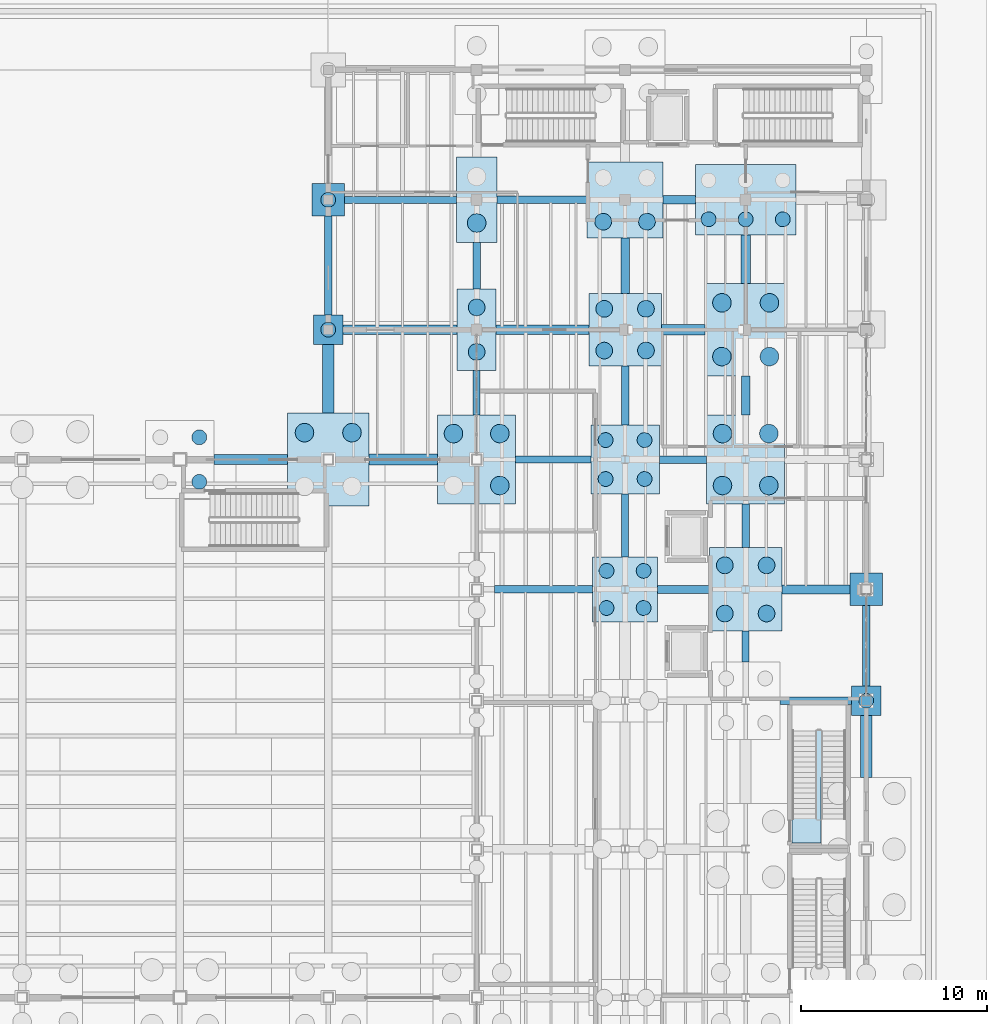
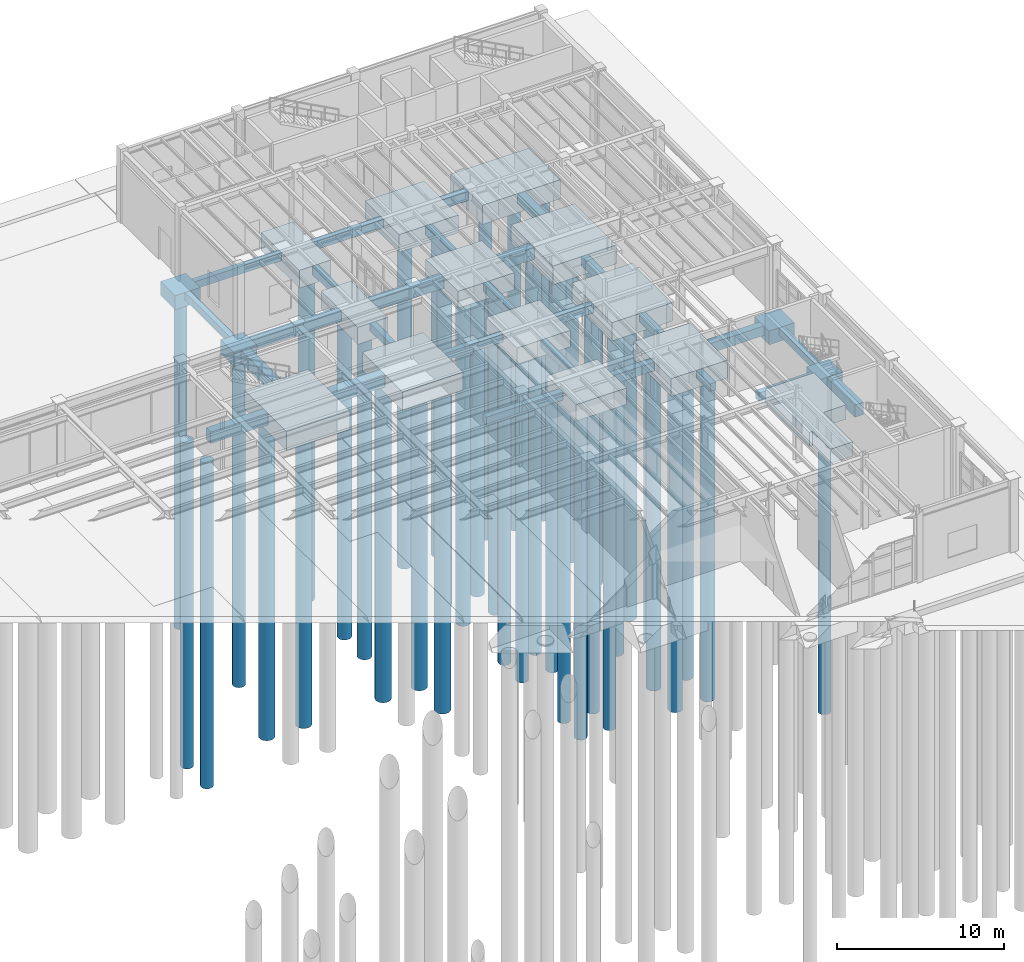
# One storey, part 9 of 86: 44 footings, 42 piles.
"""IFC4 building model written with IfcOpenShell, lengths in metres."""

import ifcopenshell
import ifcopenshell.guid

model = None  # the IFC model being written
_history = None  # IfcOwnerHistory: only IFC2X3 demands one
_inside = {}  # id of a spatial element -> (the spatial element, [elements in it])
_under = {}  # id of a project, library or spatial element -> (it, [spatial elements below it])
_declared = {}  # id of a project -> (the project, [libraries it declares])
_typed = {}  # id of a type object -> (the type object, [elements of that type])
_made_of = {}  # id of a material, layer set ... -> (it, [elements and type objects made of it])


def new_model(schema):
    """Start an empty IFC model of exactly this schema.

    Asked for "IFC4X3", IfcOpenShell would pick the latest addendum, in which some entities
    have other attributes; the version numbers below select the first issue.
    IFC2X3 requires an IfcOwnerHistory on every rooted entity: one is made here for all.
    """
    global model, _history
    if schema == "IFC4X3":
        model = ifcopenshell.file(schema_version=(4, 3, 0, 0))
    else:
        model = ifcopenshell.file(schema=schema)
    _inside.clear()
    _under.clear()
    _declared.clear()
    _typed.clear()
    _made_of.clear()
    _history = None
    if model.schema == "IFC2X3":
        org = make("IfcOrganization", Name="unknown")
        user = make(
            "IfcPersonAndOrganization",
            ThePerson=make("IfcPerson", FamilyName="unknown"),
            TheOrganization=org,
        )
        app = make(
            "IfcApplication",
            ApplicationDeveloper=org,
            Version="unknown",
            ApplicationFullName="unknown",
            ApplicationIdentifier="unknown",
        )
        _history = make(
            "IfcOwnerHistory",
            OwningUser=user,
            OwningApplication=app,
            ChangeAction="ADDED",
            CreationDate=0,
        )
    return model


def make(cls, **values):
    """One entity of the class cls with the attributes given. An attribute that is None is left unset."""
    return model.create_entity(
        cls, **{name: value for name, value in values.items() if value is not None}
    )


def rooted(cls, **values):
    """An entity with a GlobalId (a new one), such as an element, a storey or a relation."""
    return make(cls, GlobalId=ifcopenshell.guid.new(), OwnerHistory=_history, **values)


def si_unit(unit_type, name, prefix=None):
    """IfcSIUnit, for example si_unit("LENGTHUNIT", "METRE", prefix="MILLI")."""
    return make("IfcSIUnit", UnitType=unit_type, Prefix=prefix, Name=name)


def assignment(units):
    """IfcUnitAssignment: the units of a project."""
    return None if units is None else make("IfcUnitAssignment", Units=units)


def point(xyz):
    """IfcCartesianPoint."""
    return None if xyz is None else make("IfcCartesianPoint", Coordinates=xyz)


def direction(xyz):
    """IfcDirection."""
    return None if xyz is None else make("IfcDirection", DirectionRatios=xyz)


def frame(location, z_axis=None, x_axis=None):
    """IfcAxis2Placement3D, a coordinate frame: its origin and axes. An axis left out is left unset."""
    return make(
        "IfcAxis2Placement3D",
        Location=point(location),
        Axis=direction(z_axis),
        RefDirection=direction(x_axis),
    )


def frame_2d(location, x_axis=None):
    """IfcAxis2Placement2D, a coordinate frame in the plane: its origin and x axis."""
    return make(
        "IfcAxis2Placement2D", Location=point(location), RefDirection=direction(x_axis)
    )


def origin():
    """The frame at (0, 0, 0) with its axes left unset."""
    return frame((0.0, 0.0, 0.0))


def origin_2d():
    """The frame at (0, 0) in the plane with its x axis left unset."""
    return frame_2d((0.0, 0.0))


def place(relative_to, where):
    """IfcLocalPlacement: puts the frame where relative to a parent placement (None: the world)."""
    return make(
        "IfcLocalPlacement", PlacementRelTo=relative_to, RelativePlacement=where
    )


def context(
    kind, dimensions, precision=None, world=None, true_north=None, identifier=None
):
    """IfcGeometricRepresentationContext, for example the 3D "Model" context."""
    return make(
        "IfcGeometricRepresentationContext",
        ContextIdentifier=identifier,
        ContextType=kind,
        CoordinateSpaceDimension=dimensions,
        Precision=precision,
        WorldCoordinateSystem=world,
        TrueNorth=true_north,
    )


def subcontext(parent, identifier, kind, view, scale=None):
    """IfcGeometricRepresentationSubContext, for example "Body" below "Model"."""
    return make(
        "IfcGeometricRepresentationSubContext",
        ContextIdentifier=identifier,
        ContextType=kind,
        ParentContext=parent,
        TargetScale=scale,
        TargetView=view,
    )


def project(units=None, contexts=None):
    """IfcProject with its units and contexts."""
    return rooted(
        "IfcProject",
        Name="project",
        RepresentationContexts=contexts,
        UnitsInContext=assignment(units),
    )


def spatial(cls, under=None, at=None, **own):
    """A site, building, storey or space (cls), placed at a placement, below another one or the project."""
    s = rooted(cls, ObjectPlacement=at, **own)
    if under is not None:
        _under.setdefault(under.id(), (under, []))[1].append(s)
    return s


def polyline(points):
    """IfcPolyline through the points."""
    return make("IfcPolyline", Points=[point(p) for p in points])


def profile(cls, at=None, kind="AREA", **sizes):
    """A parametric profile (cls). Its sizes go by their IFC names, for example OverallWidth=200.0."""
    return make(cls, ProfileType=kind, Position=at, **sizes)


def rectangle(**sizes):
    """IfcRectangleProfileDef."""
    return profile("IfcRectangleProfileDef", **sizes)


def circle(**sizes):
    """IfcCircleProfileDef."""
    return profile("IfcCircleProfileDef", **sizes)


def outline(outer, holes=None, kind="AREA"):
    """IfcArbitraryClosedProfileDef: a profile drawn as a closed curve; with holes, ...WithVoids."""
    if holes is None:
        return make("IfcArbitraryClosedProfileDef", ProfileType=kind, OuterCurve=outer)
    return make(
        "IfcArbitraryProfileDefWithVoids",
        ProfileType=kind,
        OuterCurve=outer,
        InnerCurves=holes,
    )


def extrude(swept, where, along, depth):
    """IfcExtrudedAreaSolid: the profile swept, set in the frame where, extruded along a direction by depth."""
    return make(
        "IfcExtrudedAreaSolid",
        SweptArea=swept,
        Position=where,
        ExtrudedDirection=direction(along),
        Depth=depth,
    )


def shape(context_of_items, identifier, shape_type, items):
    """IfcShapeRepresentation: the items that make up one representation, for example the "Body"."""
    return make(
        "IfcShapeRepresentation",
        ContextOfItems=context_of_items,
        RepresentationIdentifier=identifier,
        RepresentationType=shape_type,
        Items=items,
    )


def material(Name=None, Category=None):
    """IfcMaterial."""
    return make("IfcMaterial", Name=Name, Category=Category)


def material_profile(
    of_material, cross_section, Name=None, Category=None, Priority=None
):
    """IfcMaterialProfile: a cross section and its material."""
    return make(
        "IfcMaterialProfile",
        Name=Name,
        Material=of_material,
        Profile=cross_section,
        Priority=Priority,
        Category=Category,
    )


def profile_set(profiles, Name=None, composite=None):
    """IfcMaterialProfileSet."""
    return make(
        "IfcMaterialProfileSet",
        Name=Name,
        MaterialProfiles=profiles,
        CompositeProfile=composite,
    )


def made_of(thing, what):
    """Note that an element or type object is made of a material, layer set ...; save() writes the relation."""
    if what is not None:
        _made_of.setdefault(what.id(), (what, []))[1].append(thing)
    return thing


def type_object(cls, material=None, **own):
    """A type object (cls), such as IfcWallType, which elements share."""
    return made_of(rooted(cls, **own), material)


def element(
    cls,
    number,
    at=None,
    inside=None,
    cuts=None,
    type_object=None,
    material=None,
    context=None,
    identifier="Body",
    shape_type=None,
    held_by="IfcProductDefinitionShape",
    body=None,
    shapes=None,
    **own,
):
    """One element of the class cls, such as IfcWall. Its Tag is "e" and its number.

    at: its placement. inside: the storey or other place that contains it. cuts: it is an
    opening in that element (IfcRelVoidsElement). A single representation is given by context,
    identifier, shape_type and body (its items); several are given by shapes. held_by: the class
    of the entity that holds the representations. save() writes the other relations.
    """
    e = rooted(cls, Tag="e%d" % number, ObjectPlacement=at, **own)
    if body is not None:
        shapes = [shape(context, identifier, shape_type, body)]
    if shapes is not None:
        e.Representation = make(held_by, Representations=shapes)
    if inside is not None:
        _inside.setdefault(inside.id(), (inside, []))[1].append(e)
    if cuts is not None:
        rooted(
            "IfcRelVoidsElement", RelatingBuildingElement=cuts, RelatedOpeningElement=e
        )
    if type_object is not None:
        _typed.setdefault(type_object.id(), (type_object, []))[1].append(e)
    return made_of(e, material)


def aggregate(whole, parts):
    """IfcRelAggregates: a whole, such as a stair, and the parts it consists of."""
    return rooted("IfcRelAggregates", RelatingObject=whole, RelatedObjects=parts)


def save(model, path):
    """Write the relations noted so far, then the file.

    IfcRelAggregates (storeys below a building ...), IfcRelContainedInSpatialStructure (elements
    in a storey), IfcRelDefinesByType, IfcRelAssociatesMaterial and IfcRelDeclares: one each for
    every whole, place, type object, material and project.
    """
    for whole, parts in _under.values():
        aggregate(whole, parts)
    for where, things in _inside.values():
        rooted(
            "IfcRelContainedInSpatialStructure",
            RelatedElements=things,
            RelatingStructure=where,
        )
    for kind, things in _typed.values():
        rooted("IfcRelDefinesByType", RelatedObjects=things, RelatingType=kind)
    for what, things in _made_of.values():
        rooted("IfcRelAssociatesMaterial", RelatedObjects=things, RelatingMaterial=what)
    for by, libraries in _declared.values():
        rooted("IfcRelDeclares", RelatingContext=by, RelatedDefinitions=libraries)
    model.write(path)


model = new_model("IFC4")

# Units and contexts
model_context = context("Model", 3, precision=1e-05, world=origin(), true_north=direction((0.0, 1.0)))
body_context = subcontext(model_context, "Body", "Model", "MODEL_VIEW")
ifc_project = project(units=[si_unit("LENGTHUNIT", "METRE"), si_unit("AREAUNIT", "SQUARE_METRE"), si_unit("VOLUMEUNIT", "CUBIC_METRE"), si_unit("PLANEANGLEUNIT", "RADIAN"), si_unit("MASSUNIT", "GRAM", prefix="KILO"), si_unit("THERMODYNAMICTEMPERATUREUNIT", "KELVIN"), si_unit("POWERUNIT", "WATT")], contexts=[model_context])

# Site, building, storey
site_placement = place(None, origin())
site = spatial("IfcSite", under=ifc_project, at=site_placement, CompositionType="ELEMENT")
building_placement = place(site_placement, origin())
building = spatial("IfcBuilding", under=site, at=building_placement, Name="Zhenchuan Central Fire Station", CompositionType="ELEMENT")
storey_placement = place(building_placement, frame((0.0, 0.0, 0.449951171875)))
storey = spatial("IfcBuildingStorey", under=building, at=storey_placement, Name="L01", CompositionType="ELEMENT", Elevation=0.449951171875)

# Footings
ifc_material_1 = material(Name="Concrete C35/45", Category="concrete")
footing_type_1 = type_object("IfcFootingType", Name="FB-380x550", PredefinedType="FOOTING_BEAM", material=ifc_material_1)
footing_1_placement = place(storey_placement, frame((0.0, 0.0, -1.0)))
element("IfcFooting", 1, at=footing_1_placement, inside=storey, type_object=footing_type_1, Name="Foundation Tie Beam FB-X-085", PredefinedType="FOOTING_BEAM", context=body_context, shape_type="SweptSolid", body=[
    extrude(outline(polyline([(142.10009765625, 35.31005859375), (146.14990234375, 35.31005859375), (146.14990234375, 35.68994140625), (142.10009765625, 35.68994140625), (142.10009765625, 35.31005859375)])), origin(), (0.0, 0.0, 1.0), 0.550048828125),
])
footing_2_placement = place(storey_placement, frame((0.0, 0.0, -1.0)))
element("IfcFooting", 2, at=footing_2_placement, inside=storey, type_object=footing_type_1, Name="Foundation Tie Beam FB-X-106", PredefinedType="FOOTING_BEAM", context=body_context, shape_type="SweptSolid", body=[
    extrude(outline(polyline([(132.875, 49.31005859375), (138.89990234375, 49.31005859375), (138.89990234375, 49.68994140625), (132.875, 49.68994140625), (132.875, 49.31005859375)])), origin(), (0.0, 0.0, 1.0), 0.550048828125),
])
footing_3_placement = place(storey_placement, frame((0.0, 0.0, -1.0)))
element("IfcFooting", 3, at=footing_3_placement, inside=storey, type_object=footing_type_1, Name="Foundation Tie Beam FB-Y-190", PredefinedType="FOOTING_BEAM", context=body_context, shape_type="SweptSolid", body=[
    extrude(outline(polyline([(131.81005859375, 43.300048828125), (132.18994140625, 43.300048828125), (132.18994140625, 48.625), (131.81005859375, 48.625), (131.81005859375, 43.300048828125)])), origin(), (0.0, 0.0, 1.0), 0.550048828125),
])
footing_4_placement = place(storey_placement, frame((0.0, 0.0, -1.0)))
element("IfcFooting", 4, at=footing_4_placement, inside=storey, type_object=footing_type_1, Name="Foundation Tie Beam FB-Y-197", PredefinedType="FOOTING_BEAM", context=body_context, shape_type="SweptSolid", body=[
    extrude(outline(polyline([(139.81005859375, 37.89990234375), (140.18994140625, 37.89990234375), (140.18994140625, 40.300048828125), (139.81005859375, 40.300048828125), (139.81005859375, 37.89990234375)])), origin(), (0.0, 0.0, 1.0), 0.550048828125),
])
footing_5_placement = place(storey_placement, frame((0.0, 0.0, -1.0)))
element("IfcFooting", 5, at=footing_5_placement, inside=storey, type_object=footing_type_1, Name="Foundation Tie Beam FB-Y-204", PredefinedType="FOOTING_BEAM", context=body_context, shape_type="SweptSolid", body=[
    extrude(outline(polyline([(147.81005859375, 30.25), (148.18994140625, 30.25), (148.18994140625, 33.64990234375), (147.81005859375, 33.64990234375), (147.81005859375, 30.25)])), origin(), (0.0, 0.0, 1.0), 0.550048828125),
])
footing_6_placement = place(storey_placement, frame((0.0, 0.0, -1.0)))
element("IfcFooting", 6, at=footing_6_placement, inside=storey, type_object=footing_type_1, Name="Foundation Tie Beam FB-Y-211", PredefinedType="FOOTING_BEAM", context=body_context, shape_type="SweptSolid", body=[
    extrude(outline(polyline([(154.31005859375, 24.60009765625), (154.68994140625, 24.60009765625), (154.68994140625, 26.25), (154.31005859375, 26.25), (154.31005859375, 24.60009765625)])), origin(), (0.0, 0.0, 1.0), 0.550048828125),
])
footing_7_placement = place(storey_placement, frame((0.0, 0.0, -1.0)))
element("IfcFooting", 7, at=footing_7_placement, inside=storey, type_object=footing_type_1, Name="Foundation Tie Beam FB-Y-218", PredefinedType="FOOTING_BEAM", context=body_context, shape_type="SweptSolid", body=[
    extrude(outline(polyline([(160.81005859375, 23.300048828125), (161.18994140625, 23.300048828125), (161.18994140625, 27.625), (160.81005859375, 27.625), (160.81005859375, 23.300048828125)])), origin(), (0.0, 0.0, 1.0), 0.550048828125),
])
footing_type_2 = type_object("IfcFootingType", Name="FB-400x600", PredefinedType="FOOTING_BEAM", material=ifc_material_1)
footing_8_placement = place(storey_placement, frame((0.0, 0.0, -1.050048828125)))
element("IfcFooting", 8, at=footing_8_placement, inside=storey, type_object=footing_type_2, Name="Foundation Tie Beam FB-X-058", PredefinedType="FOOTING_BEAM", context=body_context, shape_type="SweptSolid", body=[
    extrude(outline(polyline([(156.35009765625, 22.300048828125), (160.199951171875, 22.300048828125), (160.199951171875, 22.699951171875), (156.35009765625, 22.699951171875), (156.35009765625, 22.300048828125)])), origin(), (0.0, 0.0, 1.0), 0.60009765625),
])
footing_9_placement = place(storey_placement, frame((0.0, 0.0, -1.050048828125)))
element("IfcFooting", 9, at=footing_9_placement, inside=storey, type_object=footing_type_2, Name="Foundation Tie Beam FB-X-065", PredefinedType="FOOTING_BEAM", context=body_context, shape_type="SweptSolid", body=[
    extrude(outline(polyline([(140.949951171875, 28.300048828125), (146.25, 28.300048828125), (146.25, 28.699951171875), (140.949951171875, 28.699951171875), (140.949951171875, 28.300048828125)])), origin(), (0.0, 0.0, 1.0), 0.60009765625),
])
footing_10_placement = place(storey_placement, frame((0.0, 0.0, -1.050048828125)))
element("IfcFooting", 10, at=footing_10_placement, inside=storey, type_object=footing_type_2, Name="Foundation Tie Beam FB-X-086", PredefinedType="FOOTING_BEAM", context=body_context, shape_type="SweptSolid", body=[
    extrude(outline(polyline([(149.85009765625, 35.300048828125), (152.39990234375, 35.300048828125), (152.39990234375, 35.699951171875), (149.85009765625, 35.699951171875), (149.85009765625, 35.300048828125)])), origin(), (0.0, 0.0, 1.0), 0.60009765625),
])
footing_11_placement = place(storey_placement, frame((0.0, 0.0, -1.050048828125)))
element("IfcFooting", 11, at=footing_11_placement, inside=storey, type_object=footing_type_2, Name="Foundation Tie Beam FB-X-107", PredefinedType="FOOTING_BEAM", context=body_context, shape_type="SweptSolid", body=[
    extrude(outline(polyline([(141.10009765625, 49.300048828125), (145.949951171875, 49.300048828125), (145.949951171875, 49.699951171875), (141.10009765625, 49.699951171875), (141.10009765625, 49.300048828125)])), origin(), (0.0, 0.0, 1.0), 0.60009765625),
])
footing_12_placement = place(storey_placement, frame((0.0, 0.0, -1.050048828125)))
element("IfcFooting", 12, at=footing_12_placement, inside=storey, type_object=footing_type_2, Name="Foundation Tie Beam FB-Y-198", PredefinedType="FOOTING_BEAM", context=body_context, shape_type="SweptSolid", body=[
    extrude(outline(polyline([(139.800048828125, 44.699951171875), (140.199951171875, 44.699951171875), (140.199951171875, 47.199951171875), (139.800048828125, 47.199951171875), (139.800048828125, 44.699951171875)])), origin(), (0.0, 0.0, 1.0), 0.60009765625),
])
footing_13_placement = place(storey_placement, frame((0.0, 0.0, -1.050048828125)))
element("IfcFooting", 13, at=footing_13_placement, inside=storey, type_object=footing_type_2, Name="Foundation Tie Beam FB-Y-205", PredefinedType="FOOTING_BEAM", context=body_context, shape_type="SweptSolid", body=[
    extrude(outline(polyline([(147.800048828125, 37.35009765625), (148.199951171875, 37.35009765625), (148.199951171875, 40.550048828125), (147.800048828125, 40.550048828125), (147.800048828125, 37.35009765625)])), origin(), (0.0, 0.0, 1.0), 0.60009765625),
])
footing_14_placement = place(storey_placement, frame((0.0, 0.0, -1.050048828125)))
element("IfcFooting", 14, at=footing_14_placement, inside=storey, type_object=footing_type_2, Name="Foundation Tie Beam FB-Y-212", PredefinedType="FOOTING_BEAM", context=body_context, shape_type="SweptSolid", body=[
    extrude(outline(polyline([(154.300048828125, 30.75), (154.699951171875, 30.75), (154.699951171875, 33.10009765625), (154.300048828125, 33.10009765625), (154.300048828125, 30.75)])), origin(), (0.0, 0.0, 1.0), 0.60009765625),
])
footing_type_3 = type_object("IfcFootingType", Name="FB-450x650", PredefinedType="FOOTING_BEAM", material=ifc_material_1)
footing_15_placement = place(storey_placement, frame((0.0, 0.0, -1.099853515625)))
element("IfcFooting", 15, at=footing_15_placement, inside=storey, type_object=footing_type_3, Name="Foundation Tie Beam FB-X-066", PredefinedType="FOOTING_BEAM", context=body_context, shape_type="SweptSolid", body=[
    extrude(outline(polyline([(149.75, 28.27490234375), (152.550048828125, 28.27490234375), (152.550048828125, 28.72509765625), (149.75, 28.72509765625), (149.75, 28.27490234375)])), origin(), (0.0, 0.0, 1.0), 0.64990234375),
])
footing_16_placement = place(storey_placement, frame((0.0, 0.0, -1.099853515625)))
element("IfcFooting", 16, at=footing_16_placement, inside=storey, type_object=footing_type_3, Name="Foundation Tie Beam FB-X-108", PredefinedType="FOOTING_BEAM", context=body_context, shape_type="SweptSolid", body=[
    extrude(outline(polyline([(150.050048828125, 49.27490234375), (151.800048828125, 49.27490234375), (151.800048828125, 49.72509765625), (150.050048828125, 49.72509765625), (150.050048828125, 49.27490234375)])), origin(), (0.0, 0.0, 1.0), 0.64990234375),
])
footing_17_placement = place(storey_placement, frame((0.0, 0.0, -1.099853515625)))
element("IfcFooting", 17, at=footing_17_placement, inside=storey, type_object=footing_type_3, Name="Foundation Tie Beam FB-Y-206", PredefinedType="FOOTING_BEAM", context=body_context, shape_type="SweptSolid", body=[
    extrude(outline(polyline([(147.77490234375, 44.449951171875), (148.22509765625, 44.449951171875), (148.22509765625, 47.449951171875), (147.77490234375, 47.449951171875), (147.77490234375, 44.449951171875)])), origin(), (0.0, 0.0, 1.0), 0.64990234375),
])
footing_18_placement = place(storey_placement, frame((0.0, 0.0, -1.099853515625)))
element("IfcFooting", 18, at=footing_18_placement, inside=storey, type_object=footing_type_3, Name="Foundation Tie Beam FB-Y-213", PredefinedType="FOOTING_BEAM", context=body_context, shape_type="SweptSolid", body=[
    extrude(outline(polyline([(154.27490234375, 37.89990234375), (154.72509765625, 37.89990234375), (154.72509765625, 40.0), (154.27490234375, 40.0), (154.27490234375, 37.89990234375)])), origin(), (0.0, 0.0, 1.0), 0.64990234375),
])
footing_type_4 = type_object("IfcFootingType", Name="FB-500x700", PredefinedType="FOOTING_BEAM", material=ifc_material_1)
footing_19_placement = place(storey_placement, frame((0.0, 0.0, -1.14990234375)))
element("IfcFooting", 19, at=footing_19_placement, inside=storey, type_object=footing_type_4, Name="Foundation Tie Beam FB-X-067", PredefinedType="FOOTING_BEAM", context=body_context, shape_type="SweptSolid", body=[
    extrude(outline(polyline([(156.449951171875, 28.25), (160.125, 28.25), (160.125, 28.75), (156.449951171875, 28.75), (156.449951171875, 28.25)])), origin(), (0.0, 0.0, 1.0), 0.699951171875),
])
footing_20_placement = place(storey_placement, frame((0.0, 0.0, -1.14990234375)))
element("IfcFooting", 20, at=footing_20_placement, inside=storey, type_object=footing_type_4, Name="Foundation Tie Beam FB-X-095", PredefinedType="FOOTING_BEAM", context=body_context, shape_type="SweptSolid", body=[
    extrude(outline(polyline([(132.800048828125, 42.25), (138.949951171875, 42.25), (138.949951171875, 42.75), (132.800048828125, 42.75), (132.800048828125, 42.25)])), origin(), (0.0, 0.0, 1.0), 0.699951171875),
])
footing_21_placement = place(storey_placement, frame((0.0, 0.0, -1.14990234375)))
element("IfcFooting", 21, at=footing_21_placement, inside=storey, type_object=footing_type_4, Name="Foundation Tie Beam FB-Y-214", PredefinedType="FOOTING_BEAM", context=body_context, shape_type="SweptSolid", body=[
    extrude(outline(polyline([(154.25, 45.0), (154.75, 45.0), (154.75, 47.60009765625), (154.25, 47.60009765625), (154.25, 45.0)])), origin(), (0.0, 0.0, 1.0), 0.699951171875),
])
footing_type_5 = type_object("IfcFootingType", Name="FB-500x800", PredefinedType="FOOTING_BEAM", material=ifc_material_1)
footing_22_placement = place(storey_placement, frame((0.0, 0.0, -1.25)))
element("IfcFooting", 22, at=footing_22_placement, inside=storey, type_object=footing_type_5, Name="Foundation Tie Beam FB-X-096", PredefinedType="FOOTING_BEAM", context=body_context, shape_type="SweptSolid", body=[
    extrude(outline(polyline([(141.050048828125, 42.25), (146.050048828125, 42.25), (146.050048828125, 42.75), (141.050048828125, 42.75), (141.050048828125, 42.25)])), origin(), (0.0, 0.0, 1.0), 0.800048828125),
])
footing_type_6 = type_object("IfcFootingType", Name="FB-550x850", PredefinedType="FOOTING_BEAM", material=ifc_material_1)
footing_23_placement = place(storey_placement, frame((0.0, 0.0, -1.300048828125)))
element("IfcFooting", 23, at=footing_23_placement, inside=storey, type_object=footing_type_6, Name="Foundation Tie Beam FB-X-083", PredefinedType="FOOTING_BEAM", context=body_context, shape_type="SweptSolid", body=[
    extrude(outline(polyline([(125.85009765625, 35.22509765625), (129.800048828125, 35.22509765625), (129.800048828125, 35.77490234375), (125.85009765625, 35.77490234375), (125.85009765625, 35.22509765625)])), origin(), (0.0, 0.0, 1.0), 0.85009765625),
])
footing_24_placement = place(storey_placement, frame((0.0, 0.0, -1.300048828125)))
element("IfcFooting", 24, at=footing_24_placement, inside=storey, type_object=footing_type_6, Name="Foundation Tie Beam FB-X-097", PredefinedType="FOOTING_BEAM", context=body_context, shape_type="SweptSolid", body=[
    extrude(outline(polyline([(149.949951171875, 42.22509765625), (152.300048828125, 42.22509765625), (152.300048828125, 42.77490234375), (149.949951171875, 42.77490234375), (149.949951171875, 42.22509765625)])), origin(), (0.0, 0.0, 1.0), 0.85009765625),
])
footing_type_7 = type_object("IfcFootingType", Name="FB-600x900", PredefinedType="FOOTING_BEAM", material=ifc_material_1)
footing_25_placement = place(storey_placement, frame((0.0, 0.0, -1.349853515625)))
element("IfcFooting", 25, at=footing_25_placement, inside=storey, type_object=footing_type_7, Name="Foundation Tie Beam FB-X-084", PredefinedType="FOOTING_BEAM", context=body_context, shape_type="SweptSolid", body=[
    extrude(outline(polyline([(134.199951171875, 35.199951171875), (137.89990234375, 35.199951171875), (137.89990234375, 35.800048828125), (134.199951171875, 35.800048828125), (134.199951171875, 35.199951171875)])), origin(), (0.0, 0.0, 1.0), 0.89990234375),
])
footing_26_placement = place(storey_placement, frame((0.0, 0.0, -1.349853515625)))
element("IfcFooting", 26, at=footing_26_placement, inside=storey, type_object=footing_type_7, Name="Foundation Tie Beam FB-Y-189", PredefinedType="FOOTING_BEAM", context=body_context, shape_type="SweptSolid", body=[
    extrude(outline(polyline([(131.699951171875, 38.0), (132.300048828125, 38.0), (132.300048828125, 41.699951171875), (131.699951171875, 41.699951171875), (131.699951171875, 38.0)])), origin(), (0.0, 0.0, 1.0), 0.89990234375),
])
footing_27_placement = place(storey_placement, frame((0.0, 0.0, -1.349853515625)))
element("IfcFooting", 27, at=footing_27_placement, inside=storey, type_object=footing_type_7, Name="Foundation Tie Beam FB-Y-217", PredefinedType="FOOTING_BEAM", context=body_context, shape_type="SweptSolid", body=[
    extrude(outline(polyline([(160.699951171875, 18.35009765625), (161.300048828125, 18.35009765625), (161.300048828125, 21.699951171875), (160.699951171875, 21.699951171875), (160.699951171875, 18.35009765625)])), origin(), (0.0, 0.0, 1.0), 0.89990234375),
])
ifc_material_2 = material(Name="Concrete C40/50", Category="concrete")
footing_type_8 = type_object("IfcFootingType", Name="PAD-CORE", PredefinedType="PAD_FOOTING", material=ifc_material_2)
footing_28_placement = place(storey_placement, frame((0.0, 0.0, -1.300048828125)))
element("IfcFooting", 28, at=footing_28_placement, inside=storey, type_object=footing_type_8, Name="ST-11 Core Foundation Mat Footing", PredefinedType="PAD_FOOTING", context=body_context, shape_type="SweptSolid", body=[
    extrude(outline(polyline([(160.125, 18.389892578125), (158.56005859375, 18.389892578125), (158.56005859375, 14.840087890625), (156.989990234375, 14.840087890625), (156.989990234375, 16.989990234375), (156.77490234375, 16.989990234375), (156.77490234375, 22.260009765625), (160.125, 22.260009765625), (160.125, 18.389892578125)])), origin(), (0.0, 0.0, 1.0), 1.050048828125),
])
footing_type_9 = type_object("IfcFootingType", Name="PC-01", PredefinedType="PILE_CAP", material=ifc_material_2)
for number, where, z_axis, x_axis, name in (
    (29, (132.0, 42.5, -1.449951171875), (0.0, 0.0, 1.0), (1.0, 0.0, 0.0), "Pile Cap PC-01 at (132.0,42.5)"),
    (30, (161.0, 22.5, -1.449951171875), (0.0, 0.0, 1.0), (1.0, 0.0, 0.0), "Pile Cap PC-01 at (161.0,22.5)"),
):
    element("IfcFooting", number, at=place(storey_placement, frame(where, z_axis=z_axis, x_axis=x_axis)), inside=storey, type_object=footing_type_9, Name=name, PredefinedType="PILE_CAP", context=body_context, shape_type="SweptSolid", body=[
        extrude(rectangle(XDim=1.60009765625, YDim=1.60009765625, at=origin_2d()), origin(), (0.0, 0.0, 1.0), 1.0),
    ])
footing_type_10 = type_object("IfcFootingType", Name="PC-02", PredefinedType="PILE_CAP", material=ifc_material_2)
for number, where, z_axis, x_axis, name in (
    (31, (132.0, 49.5, -1.469970703125), (0.0, 0.0, 1.0), (1.0, 0.0, 0.0), "Pile Cap PC-02 at (132.0,49.5)"),
    (32, (161.0, 28.5, -1.469970703125), (0.0, 0.0, 1.0), (1.0, 0.0, 0.0), "Pile Cap PC-02 at (161.0,28.5)"),
):
    element("IfcFooting", number, at=place(storey_placement, frame(where, z_axis=z_axis, x_axis=x_axis)), inside=storey, type_object=footing_type_10, Name=name, PredefinedType="PILE_CAP", context=body_context, shape_type="SweptSolid", body=[
        extrude(rectangle(XDim=1.75, YDim=1.75, at=origin_2d()), origin(), (0.0, 0.0, 1.0), 1.02001953125),
    ])
footing_type_11 = type_object("IfcFootingType", Name="PC-10", PredefinedType="PILE_CAP", material=ifc_material_2)
footing_29_placement = place(storey_placement, frame((140.0, 42.5, -1.699951171875), z_axis=(0.0, 0.0, 1.0), x_axis=(1.0, 0.0, 0.0)))
element("IfcFooting", 33, at=footing_29_placement, inside=storey, type_object=footing_type_11, Name="Pile Cap PC-10 at (140.0,42.5)", PredefinedType="PILE_CAP", context=body_context, shape_type="SweptSolid", body=[
    extrude(rectangle(XDim=2.10009765625, YDim=4.39990234375, at=origin_2d()), origin(), (0.0, 0.0, 1.0), 1.25),
])
footing_type_12 = type_object("IfcFootingType", Name="PC-11", PredefinedType="PILE_CAP", material=ifc_material_2)
footing_30_placement = place(storey_placement, frame((140.0, 49.5, -1.75), z_axis=(0.0, 0.0, 1.0), x_axis=(1.0, 0.0, 0.0)))
element("IfcFooting", 34, at=footing_30_placement, inside=storey, type_object=footing_type_12, Name="Pile Cap PC-11 at (140.0,49.5)", PredefinedType="PILE_CAP", context=body_context, shape_type="SweptSolid", body=[
    extrude(rectangle(XDim=2.199951171875, YDim=4.60009765625, at=origin_2d()), origin(), (0.0, 0.0, 1.0), 1.300048828125),
])
footing_type_13 = type_object("IfcFootingType", Name="PC-17", PredefinedType="PILE_CAP", material=ifc_material_2)
footing_31_placement = place(storey_placement, frame((148.0, 28.5, -1.64990234375), z_axis=(0.0, 0.0, 1.0), x_axis=(1.0, 0.0, 0.0)))
element("IfcFooting", 35, at=footing_31_placement, inside=storey, type_object=footing_type_13, Name="Pile Cap PC-17 at (148.0,28.5)", PredefinedType="PILE_CAP", context=body_context, shape_type="SweptSolid", body=[
    extrude(rectangle(XDim=3.5, YDim=3.5, at=origin_2d()), origin(), (0.0, 0.0, 1.0), 1.199951171875),
])
footing_type_14 = type_object("IfcFootingType", Name="PC-18", PredefinedType="PILE_CAP", material=ifc_material_2)
footing_32_placement = place(storey_placement, frame((148.0, 35.5, -1.64990234375), z_axis=(0.0, 0.0, 1.0), x_axis=(1.0, 0.0, 0.0)))
element("IfcFooting", 36, at=footing_32_placement, inside=storey, type_object=footing_type_14, Name="Pile Cap PC-18 at (148.0,35.5)", PredefinedType="PILE_CAP", context=body_context, shape_type="SweptSolid", body=[
    extrude(rectangle(XDim=3.699951171875, YDim=3.699951171875, at=origin_2d()), origin(), (0.0, 0.0, 1.0), 1.199951171875),
])
footing_type_15 = type_object("IfcFootingType", Name="PC-19", PredefinedType="PILE_CAP", material=ifc_material_2)
footing_33_placement = place(storey_placement, frame((148.0, 42.5, -1.699951171875), z_axis=(0.0, 0.0, 1.0), x_axis=(1.0, 0.0, 0.0)))
element("IfcFooting", 37, at=footing_33_placement, inside=storey, type_object=footing_type_15, Name="Pile Cap PC-19 at (148.0,42.5)", PredefinedType="PILE_CAP", context=body_context, shape_type="SweptSolid", body=[
    extrude(rectangle(XDim=3.89990234375, YDim=3.89990234375, at=origin_2d()), origin(), (0.0, 0.0, 1.0), 1.25),
])
footing_type_16 = type_object("IfcFootingType", Name="PC-20", PredefinedType="PILE_CAP", material=ifc_material_2)
footing_34_placement = place(storey_placement, frame((148.0, 49.5, -1.75), z_axis=(0.0, 0.0, 1.0), x_axis=(1.0, 0.0, 0.0)))
element("IfcFooting", 38, at=footing_34_placement, inside=storey, type_object=footing_type_16, Name="Pile Cap PC-20 at (148.0,49.5)", PredefinedType="PILE_CAP", context=body_context, shape_type="SweptSolid", body=[
    extrude(rectangle(XDim=4.10009765625, YDim=4.10009765625, at=origin_2d()), origin(), (0.0, 0.0, 1.0), 1.300048828125),
])
footing_type_17 = type_object("IfcFootingType", Name="PC-26", PredefinedType="PILE_CAP", material=ifc_material_2)
footing_35_placement = place(storey_placement, frame((154.5, 28.5, -1.75), z_axis=(0.0, 0.0, 1.0), x_axis=(1.0, 0.0, 0.0)))
element("IfcFooting", 39, at=footing_35_placement, inside=storey, type_object=footing_type_17, Name="Pile Cap PC-26 at (154.5,28.5)", PredefinedType="PILE_CAP", context=body_context, shape_type="SweptSolid", body=[
    extrude(rectangle(XDim=3.89990234375, YDim=4.5, at=origin_2d()), origin(), (0.0, 0.0, 1.0), 1.300048828125),
])
footing_type_18 = type_object("IfcFootingType", Name="PC-27", PredefinedType="PILE_CAP", material=ifc_material_2)
for number, where, z_axis, x_axis, name in (
    (40, (140.0, 35.5, -1.800048828125), (0.0, 0.0, 1.0), (1.0, 0.0, 0.0), "Pile Cap PC-27 at (140.0,35.5)"),
    (41, (154.5, 35.5, -1.800048828125), (0.0, 0.0, 1.0), (1.0, 0.0, 0.0), "Pile Cap PC-27 at (154.5,35.5)"),
):
    element("IfcFooting", number, at=place(storey_placement, frame(where, z_axis=z_axis, x_axis=x_axis)), inside=storey, type_object=footing_type_18, Name=name, PredefinedType="PILE_CAP", context=body_context, shape_type="SweptSolid", body=[
        extrude(rectangle(XDim=4.199951171875, YDim=4.800048828125, at=origin_2d()), origin(), (0.0, 0.0, 1.0), 1.35009765625),
    ])
footing_type_19 = type_object("IfcFootingType", Name="PC-28", PredefinedType="PILE_CAP", material=ifc_material_2)
for number, where, z_axis, x_axis, name in (
    (42, (132.0, 35.5, -1.829833984375), (0.0, 0.0, 1.0), (1.0, 0.0, 0.0), "Pile Cap PC-28 at (132.0,35.5)"),
    (43, (154.5, 42.5, -1.829833984375), (0.0, 0.0, 1.0), (1.0, 0.0, 0.0), "Pile Cap PC-28 at (154.5,42.5)"),
):
    element("IfcFooting", number, at=place(storey_placement, frame(where, z_axis=z_axis, x_axis=x_axis)), inside=storey, type_object=footing_type_19, Name=name, PredefinedType="PILE_CAP", context=body_context, shape_type="SweptSolid", body=[
        extrude(rectangle(XDim=4.39990234375, YDim=5.0, at=origin_2d()), origin(), (0.0, 0.0, 1.0), 1.3798828125),
    ])
footing_type_20 = type_object("IfcFootingType", Name="PC-29", PredefinedType="PILE_CAP", material=ifc_material_2)
footing_36_placement = place(storey_placement, frame((154.5, 49.5, -1.849853515625), z_axis=(0.0, 0.0, 1.0), x_axis=(1.0, 0.0, 0.0)))
element("IfcFooting", 44, at=footing_36_placement, inside=storey, type_object=footing_type_20, Name="Pile Cap PC-29 at (154.5,49.5)", PredefinedType="PILE_CAP", context=body_context, shape_type="SweptSolid", body=[
    extrude(rectangle(XDim=5.39990234375, YDim=3.800048828125, at=origin_2d()), origin(), (0.0, 0.0, 1.0), 1.39990234375),
])

# Piles
ifc_material_profile_1 = material_profile(ifc_material_1, circle(Radius=0.5, at=origin_2d()), Name="PILE D1000")
ifc_profile_set_1 = profile_set([ifc_material_profile_1], Name="Concrete C35/45")
pile_type_1 = type_object("IfcPileType", Name="PILE-D1000", PredefinedType="BORED", material=ifc_profile_set_1)
for number, where, z_axis, x_axis, name in (
    (45, (130.719970703125, 36.949951171875, -1.72998046875), (0.0, 0.0, -1.0), (1.0, 0.0, 0.0), "Bored Pile 096-3"),
    (46, (133.280029296875, 36.949951171875, -1.72998046875), (0.0, 0.0, -1.0), (1.0, 0.0, 0.0), "Bored Pile 096-4"),
):
    element("IfcPile", number, at=place(storey_placement, frame(where, z_axis=z_axis, x_axis=x_axis)), inside=storey, type_object=pile_type_1, Name=name, PredefinedType="BORED", context=body_context, shape_type="SweptSolid", body=[
        extrude(circle(Radius=0.5, at=origin_2d()), origin(), (0.0, 0.0, 1.0), 23.719970703125),
    ])
for number, where, z_axis, x_axis, name in (
    (47, (141.25, 34.10009765625, -1.699951171875), (0.0, 0.0, -1.0), (1.0, 0.0, 0.0), "Bored Pile 105-2"),
    (48, (138.75, 36.89990234375, -1.699951171875), (0.0, 0.0, -1.0), (1.0, 0.0, 0.0), "Bored Pile 105-3"),
    (49, (141.25, 36.89990234375, -1.699951171875), (0.0, 0.0, -1.0), (1.0, 0.0, 0.0), "Bored Pile 105-4"),
):
    element("IfcPile", number, at=place(storey_placement, frame(where, z_axis=z_axis, x_axis=x_axis)), inside=storey, type_object=pile_type_1, Name=name, PredefinedType="BORED", context=body_context, shape_type="SweptSolid", body=[
        extrude(circle(Radius=0.5, at=origin_2d()), origin(), (0.0, 0.0, 1.0), 23.75),
    ])
pile_1_placement = place(storey_placement, frame((140.0, 48.25, -1.64990234375), z_axis=(0.0, 0.0, -1.0), x_axis=(1.0, 0.0, 0.0)))
element("IfcPile", 50, at=pile_1_placement, inside=storey, type_object=pile_type_1, Name="Bored Pile 107-1", PredefinedType="BORED", context=body_context, shape_type="SweptSolid", body=[
    extrude(circle(Radius=0.5, at=origin_2d()), origin(), (0.0, 0.0, 1.0), 23.800048828125),
])
for number, where, z_axis, x_axis, name in (
    (51, (153.25, 34.10009765625, -1.699951171875), (0.0, 0.0, -1.0), (1.0, 0.0, 0.0), "Bored Pile 123-1"),
    (52, (155.75, 34.10009765625, -1.699951171875), (0.0, 0.0, -1.0), (1.0, 0.0, 0.0), "Bored Pile 123-2"),
    (53, (153.25, 36.89990234375, -1.699951171875), (0.0, 0.0, -1.0), (1.0, 0.0, 0.0), "Bored Pile 123-3"),
    (54, (155.75, 36.89990234375, -1.699951171875), (0.0, 0.0, -1.0), (1.0, 0.0, 0.0), "Bored Pile 123-4"),
):
    element("IfcPile", number, at=place(storey_placement, frame(where, z_axis=z_axis, x_axis=x_axis)), inside=storey, type_object=pile_type_1, Name=name, PredefinedType="BORED", context=body_context, shape_type="SweptSolid", body=[
        extrude(circle(Radius=0.5, at=origin_2d()), origin(), (0.0, 0.0, 1.0), 23.75),
    ])
for number, where, z_axis, x_axis, name in (
    (55, (153.219970703125, 41.050048828125, -1.72998046875), (0.0, 0.0, -1.0), (1.0, 0.0, 0.0), "Bored Pile 124-1"),
    (56, (155.780029296875, 41.050048828125, -1.72998046875), (0.0, 0.0, -1.0), (1.0, 0.0, 0.0), "Bored Pile 124-2"),
    (57, (153.219970703125, 43.949951171875, -1.72998046875), (0.0, 0.0, -1.0), (1.0, 0.0, 0.0), "Bored Pile 124-3"),
    (58, (155.780029296875, 43.949951171875, -1.72998046875), (0.0, 0.0, -1.0), (1.0, 0.0, 0.0), "Bored Pile 124-4"),
):
    element("IfcPile", number, at=place(storey_placement, frame(where, z_axis=z_axis, x_axis=x_axis)), inside=storey, type_object=pile_type_1, Name=name, PredefinedType="BORED", context=body_context, shape_type="SweptSolid", body=[
        extrude(circle(Radius=0.5, at=origin_2d()), origin(), (0.0, 0.0, 1.0), 23.719970703125),
    ])
ifc_material_profile_2 = material_profile(ifc_material_1, circle(Radius=0.39990234375, at=origin_2d()), Name="PILE D800")
ifc_profile_set_2 = profile_set([ifc_material_profile_2], Name="Concrete C35/45")
pile_type_2 = type_object("IfcPileType", Name="PILE-D800", PredefinedType="BORED", material=ifc_profile_set_2)
for number, where, z_axis, x_axis, name in (
    (59, (125.050048828125, 34.300048828125, -1.599853515625), (0.0, 0.0, -1.0), (1.0, 0.0, 0.0), "Bored Pile 093-2"),
    (60, (125.050048828125, 36.699951171875, -1.599853515625), (0.0, 0.0, -1.0), (1.0, 0.0, 0.0), "Bored Pile 093-4"),
):
    element("IfcPile", number, at=place(storey_placement, frame(where, z_axis=z_axis, x_axis=x_axis)), inside=storey, type_object=pile_type_2, Name=name, PredefinedType="BORED", context=body_context, shape_type="SweptSolid", body=[
        extrude(circle(Radius=0.39990234375, at=origin_2d()), origin(), (0.0, 0.0, 1.0), 23.85009765625),
    ])
pile_2_placement = place(storey_placement, frame((132.0, 42.5, -1.349853515625), z_axis=(0.0, 0.0, -1.0), x_axis=(1.0, 0.0, 0.0)))
element("IfcPile", 61, at=pile_2_placement, inside=storey, type_object=pile_type_2, Name="Bored Pile 097-1", PredefinedType="BORED", context=body_context, shape_type="SweptSolid", body=[
    extrude(circle(Radius=0.39990234375, at=origin_2d()), origin(), (0.0, 0.0, 1.0), 24.10009765625),
])
pile_3_placement = place(storey_placement, frame((132.0, 49.5, -1.369873046875), z_axis=(0.0, 0.0, -1.0), x_axis=(1.0, 0.0, 0.0)))
element("IfcPile", 62, at=pile_3_placement, inside=storey, type_object=pile_type_2, Name="Bored Pile 098-1", PredefinedType="BORED", context=body_context, shape_type="SweptSolid", body=[
    extrude(circle(Radius=0.39990234375, at=origin_2d()), origin(), (0.0, 0.0, 1.0), 24.080078125),
])
for number, where, z_axis, x_axis, name in (
    (63, (147.0, 27.5, -1.550048828125), (0.0, 0.0, -1.0), (1.0, 0.0, 0.0), "Bored Pile 113-1"),
    (64, (149.0, 27.5, -1.550048828125), (0.0, 0.0, -1.0), (1.0, 0.0, 0.0), "Bored Pile 113-2"),
    (65, (147.0, 29.5, -1.550048828125), (0.0, 0.0, -1.0), (1.0, 0.0, 0.0), "Bored Pile 113-3"),
    (66, (149.0, 29.5, -1.550048828125), (0.0, 0.0, -1.0), (1.0, 0.0, 0.0), "Bored Pile 113-4"),
    (67, (146.949951171875, 34.449951171875, -1.550048828125), (0.0, 0.0, -1.0), (1.0, 0.0, 0.0), "Bored Pile 114-1"),
    (68, (149.050048828125, 34.449951171875, -1.550048828125), (0.0, 0.0, -1.0), (1.0, 0.0, 0.0), "Bored Pile 114-2"),
    (69, (146.949951171875, 36.550048828125, -1.550048828125), (0.0, 0.0, -1.0), (1.0, 0.0, 0.0), "Bored Pile 114-3"),
    (70, (149.050048828125, 36.550048828125, -1.550048828125), (0.0, 0.0, -1.0), (1.0, 0.0, 0.0), "Bored Pile 114-4"),
):
    element("IfcPile", number, at=place(storey_placement, frame(where, z_axis=z_axis, x_axis=x_axis)), inside=storey, type_object=pile_type_2, Name=name, PredefinedType="BORED", context=body_context, shape_type="SweptSolid", body=[
        extrude(circle(Radius=0.39990234375, at=origin_2d()), origin(), (0.0, 0.0, 1.0), 23.89990234375),
    ])
for number, where, z_axis, x_axis, name in (
    (71, (152.5, 48.449951171875, -1.75), (0.0, 0.0, -1.0), (1.0, 0.0, 0.0), "Bored Pile 125-1"),
    (72, (154.5, 48.449951171875, -1.75), (0.0, 0.0, -1.0), (1.0, 0.0, 0.0), "Bored Pile 125-2"),
    (73, (156.5, 48.449951171875, -1.75), (0.0, 0.0, -1.0), (1.0, 0.0, 0.0), "Bored Pile 125-3"),
):
    element("IfcPile", number, at=place(storey_placement, frame(where, z_axis=z_axis, x_axis=x_axis)), inside=storey, type_object=pile_type_2, Name=name, PredefinedType="BORED", context=body_context, shape_type="SweptSolid", body=[
        extrude(circle(Radius=0.39990234375, at=origin_2d()), origin(), (0.0, 0.0, 1.0), 23.699951171875),
    ])
pile_4_placement = place(storey_placement, frame((161.0, 22.5, -1.349853515625), z_axis=(0.0, 0.0, -1.0), x_axis=(1.0, 0.0, 0.0)))
element("IfcPile", 74, at=pile_4_placement, inside=storey, type_object=pile_type_2, Name="Bored Pile 129-1", PredefinedType="BORED", context=body_context, shape_type="SweptSolid", body=[
    extrude(circle(Radius=0.39990234375, at=origin_2d()), origin(), (0.0, 0.0, 1.0), 24.10009765625),
])
ifc_material_profile_3 = material_profile(ifc_material_1, circle(Radius=0.449951171875, at=origin_2d()), Name="PILE D900")
ifc_profile_set_3 = profile_set([ifc_material_profile_3], Name="Concrete C35/45")
pile_type_3 = type_object("IfcPileType", Name="PILE-D900", PredefinedType="BORED", material=ifc_profile_set_3)
for number, where, z_axis, x_axis, name in (
    (75, (140.0, 41.300048828125, -1.599853515625), (0.0, 0.0, -1.0), (1.0, 0.0, 0.0), "Bored Pile 106-1"),
    (76, (140.0, 43.699951171875, -1.599853515625), (0.0, 0.0, -1.0), (1.0, 0.0, 0.0), "Bored Pile 106-2"),
    (77, (146.875, 41.375, -1.599853515625), (0.0, 0.0, -1.0), (1.0, 0.0, 0.0), "Bored Pile 115-1"),
    (78, (149.125, 41.375, -1.599853515625), (0.0, 0.0, -1.0), (1.0, 0.0, 0.0), "Bored Pile 115-2"),
    (79, (146.875, 43.625, -1.599853515625), (0.0, 0.0, -1.0), (1.0, 0.0, 0.0), "Bored Pile 115-3"),
    (80, (149.125, 43.625, -1.599853515625), (0.0, 0.0, -1.0), (1.0, 0.0, 0.0), "Bored Pile 115-4"),
):
    element("IfcPile", number, at=place(storey_placement, frame(where, z_axis=z_axis, x_axis=x_axis)), inside=storey, type_object=pile_type_3, Name=name, PredefinedType="BORED", context=body_context, shape_type="SweptSolid", body=[
        extrude(circle(Radius=0.449951171875, at=origin_2d()), origin(), (0.0, 0.0, 1.0), 23.85009765625),
    ])
for number, where, z_axis, x_axis, name in (
    (81, (146.820068359375, 48.320068359375, -1.64990234375), (0.0, 0.0, -1.0), (1.0, 0.0, 0.0), "Bored Pile 116-1"),
    (82, (149.179931640625, 48.320068359375, -1.64990234375), (0.0, 0.0, -1.0), (1.0, 0.0, 0.0), "Bored Pile 116-2"),
    (83, (153.375, 27.199951171875, -1.64990234375), (0.0, 0.0, -1.0), (1.0, 0.0, 0.0), "Bored Pile 122-1"),
    (84, (155.625, 27.199951171875, -1.64990234375), (0.0, 0.0, -1.0), (1.0, 0.0, 0.0), "Bored Pile 122-2"),
    (85, (153.375, 29.800048828125, -1.64990234375), (0.0, 0.0, -1.0), (1.0, 0.0, 0.0), "Bored Pile 122-3"),
    (86, (155.625, 29.800048828125, -1.64990234375), (0.0, 0.0, -1.0), (1.0, 0.0, 0.0), "Bored Pile 122-4"),
):
    element("IfcPile", number, at=place(storey_placement, frame(where, z_axis=z_axis, x_axis=x_axis)), inside=storey, type_object=pile_type_3, Name=name, PredefinedType="BORED", context=body_context, shape_type="SweptSolid", body=[
        extrude(circle(Radius=0.449951171875, at=origin_2d()), origin(), (0.0, 0.0, 1.0), 23.800048828125),
    ])

save(model, "model.ifc")
